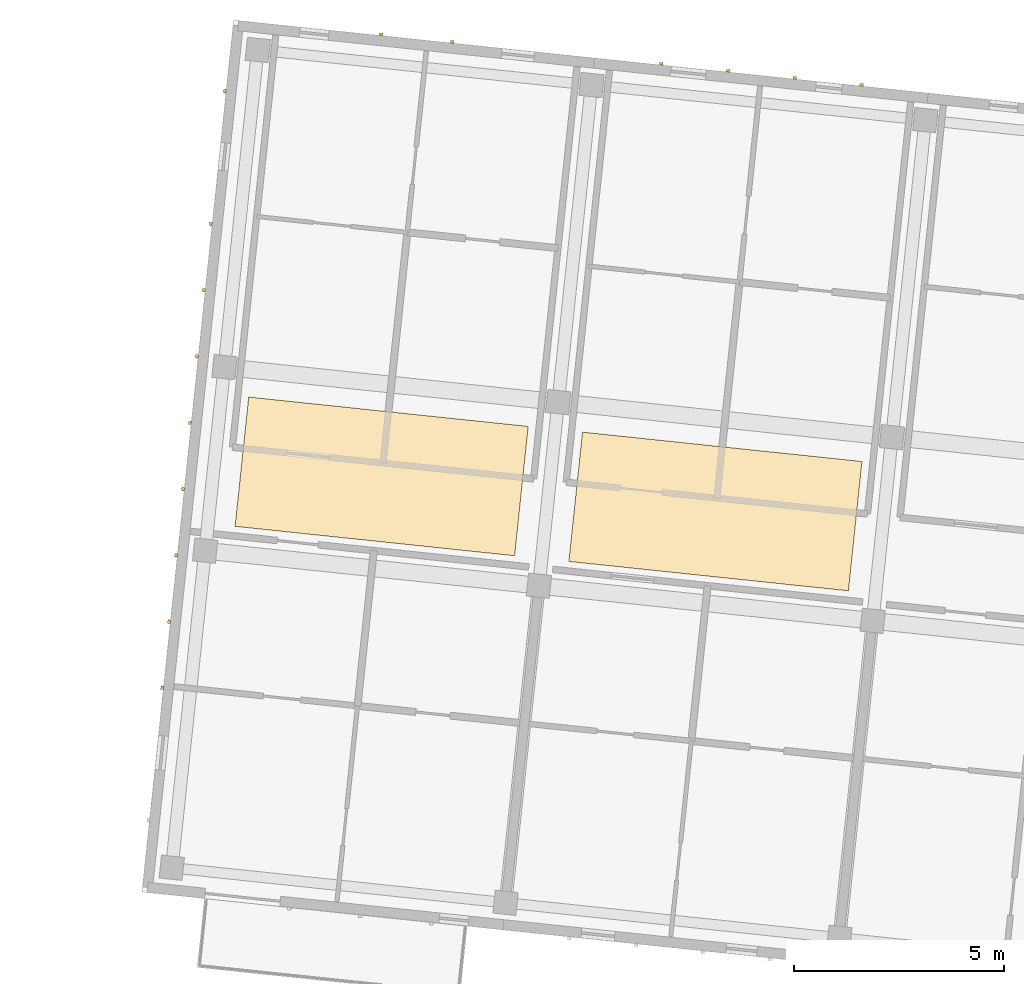
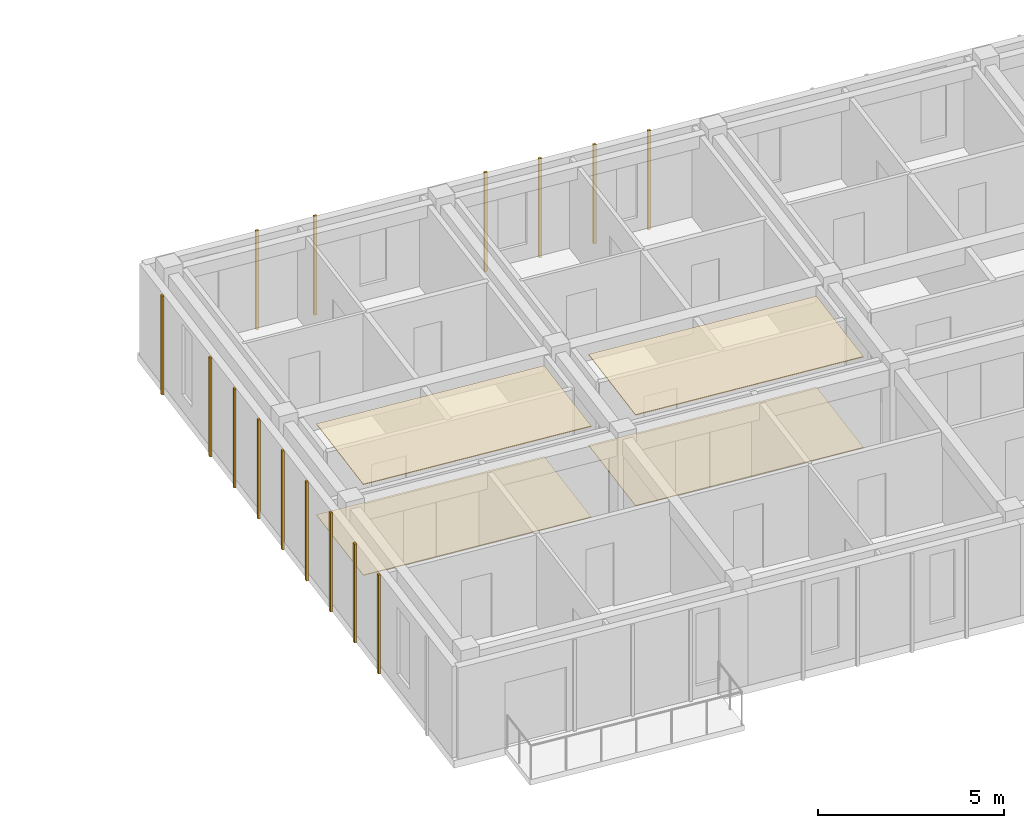
# One storey, part 57 of 65: 19 coverings.
"""IFC4 building model written with IfcOpenShell, lengths in metres."""

from ifc_helpers import new_model, si_unit, direction, frame, origin, origin_2d, place, context, subcontext, project, spatial, polyline, rectangle, outline, extrude, material, layer, layer_set, type_object, element, save


model = new_model("IFC4")

# Units and contexts
model_context = context("Model", 3, precision=1e-05, world=origin(), true_north=direction((0.0, 1.0)))
body_context = subcontext(model_context, "Body", "Model", "MODEL_VIEW")
ifc_project = project(units=[si_unit("LENGTHUNIT", "METRE"), si_unit("AREAUNIT", "SQUARE_METRE"), si_unit("VOLUMEUNIT", "CUBIC_METRE"), si_unit("PLANEANGLEUNIT", "RADIAN"), si_unit("MASSUNIT", "GRAM", prefix="KILO")], contexts=[model_context])

# Site, building, storey
site_placement = place(None, origin())
site = spatial("IfcSite", under=ifc_project, at=site_placement, CompositionType="ELEMENT")
building_placement = place(site_placement, origin())
building = spatial("IfcBuilding", under=site, at=building_placement, Name="Kestramere Prow Commons", CompositionType="ELEMENT")
storey_placement = place(building_placement, frame((0.0, 0.0, 21.39990234375)))
storey = spatial("IfcBuildingStorey", under=building, at=storey_placement, Name="L06", CompositionType="ELEMENT", Elevation=21.39990234375)

# Coverings
ifc_material_1 = material(Name="Mineral Fibre Acoustic Ceiling Tile")
ifc_layer_1 = layer(ifc_material_1, 0.02490234375)
ifc_layer_set_1 = layer_set([ifc_layer_1], Name="Mineral Fibre Acoustic Ceiling Tile")
covering_type_1 = type_object("IfcCoveringType", Name="COV-CEIL-ACOUSTIC", PredefinedType="CEILING", material=ifc_layer_set_1)
covering_1_placement = place(storey_placement, frame((0.0, 0.0, 2.97509765625)))
element("IfcCovering", 1, at=covering_1_placement, inside=storey, type_object=covering_type_1, Name="Block B L06 Corridor Acoustic Ceiling 1", PredefinedType="CEILING", context=body_context, shape_type="SweptSolid", body=[
    extrude(outline(polyline([(111.5087890625, 102.936767578125), (118.172119140625, 102.236572265625), (118.49609375, 105.319580078125), (111.832763671875, 106.019775390625), (111.5087890625, 102.936767578125)])), origin(), (0.0, 0.0, 1.0), 0.02490234375),
])
covering_2_placement = place(storey_placement, frame((0.0, 0.0, 2.97509765625)))
element("IfcCovering", 2, at=covering_2_placement, inside=storey, type_object=covering_type_1, Name="Block B L06 Corridor Acoustic Ceiling 2", PredefinedType="CEILING", context=body_context, shape_type="SweptSolid", body=[
    extrude(outline(polyline([(119.465087890625, 102.1005859375), (126.128173828125, 101.400390625), (126.452392578125, 104.4833984375), (119.7890625, 105.18359375), (119.465087890625, 102.1005859375)])), origin(), (0.0, 0.0, 1.0), 0.02490234375),
])
ifc_material_2 = material(Name="Weathered Zinc-Titanium Standing-Seam Cladding")
ifc_layer_2 = layer(ifc_material_2, 0.074951171875)
ifc_layer_set_2 = layer_set([ifc_layer_2], Name="Weathered Zinc-Titanium Standing-Seam Cladding")
covering_type_2 = type_object("IfcCoveringType", Name="COV-CLAD-SEAM", PredefinedType="CLADDING", material=ifc_layer_set_2)
for number, where, z_axis, x_axis, name in (
    (3, (114.98876953125, 114.664794921875, -0.25), (0.0, 0.0, 1.0), (0.994521895368, -0.104528463268, 0.0), "EW-B-L06-N-0 Standing-Seam Rib 2"),
    (4, (116.684326171875, 114.486572265625, -0.25), (0.0, 0.0, 1.0), (0.994521895368, -0.104528463268, 0.0), "EW-B-L06-N-0 Standing-Seam Rib 3"),
    (5, (121.6669921875, 113.962890625, -0.25), (0.0, 0.0, 1.0), (0.994521895368, -0.104528463268, 0.0), "EW-B-L06-N-1 Standing-Seam Rib 1"),
    (6, (123.25830078125, 113.795654296875, -0.25), (0.0, 0.0, 1.0), (0.994521895368, -0.104528463268, 0.0), "EW-B-L06-N-1 Standing-Seam Rib 2"),
    (7, (124.849365234375, 113.62841796875, -0.25), (0.0, 0.0, 1.0), (0.994521895368, -0.104528463268, 0.0), "EW-B-L06-N-1 Standing-Seam Rib 3"),
    (8, (126.440673828125, 113.461181640625, -0.25), (0.0, 0.0, 1.0), (0.994521895368, -0.104528463268, 0.0), "EW-B-L06-N-1 Standing-Seam Rib 4"),
    (9, (109.76953125, 99.087890625, -0.25), (0.0, 0.0, 1.0), (0.104528463268, 0.994521895368, 0.0), "EW-B-L06-EAV Standing-Seam Rib 3"),
    (10, (109.935546875, 100.667724609375, -0.25), (0.0, 0.0, 1.0), (0.104528463268, 0.994521895368, 0.0), "EW-B-L06-EAV Standing-Seam Rib 4"),
    (11, (110.1015625, 102.24755859375, -0.25), (0.0, 0.0, 1.0), (0.104528463268, 0.994521895368, 0.0), "EW-B-L06-EAV Standing-Seam Rib 5"),
    (12, (110.267578125, 103.8271484375, -0.25), (0.0, 0.0, 1.0), (0.104528463268, 0.994521895368, 0.0), "EW-B-L06-EAV Standing-Seam Rib 6"),
    (13, (110.43359375, 105.406982421875, -0.25), (0.0, 0.0, 1.0), (0.104528463268, 0.994521895368, 0.0), "EW-B-L06-EAV Standing-Seam Rib 7"),
    (14, (110.599609375, 106.98681640625, -0.25), (0.0, 0.0, 1.0), (0.104528463268, 0.994521895368, 0.0), "EW-B-L06-EAV Standing-Seam Rib 8"),
    (15, (110.765625, 108.566650390625, -0.25), (0.0, 0.0, 1.0), (0.104528463268, 0.994521895368, 0.0), "EW-B-L06-EAV Standing-Seam Rib 9"),
    (16, (110.931640625, 110.146240234375, -0.25), (0.0, 0.0, 1.0), (0.104528463268, 0.994521895368, 0.0), "EW-B-L06-EAV Standing-Seam Rib 10"),
    (17, (111.263916015625, 113.305908203125, -0.25), (0.0, 0.0, 1.0), (0.104528463268, 0.994521895368, 0.0), "EW-B-L06-EAV Standing-Seam Rib 12"),
):
    element("IfcCovering", number, at=place(storey_placement, frame(where, z_axis=z_axis, x_axis=x_axis)), inside=storey, type_object=covering_type_2, Name=name, PredefinedType="CLADDING", context=body_context, shape_type="SweptSolid", body=[
        extrude(rectangle(XDim=0.0849609375, YDim=0.06494140625, at=origin_2d()), origin(), (0.0, 0.0, 1.0), 3.25),
    ])
ifc_material_3 = material(Name="Honed Cementitious Terrazzo Tile")
ifc_layer_3 = layer(ifc_material_3, 0.02001953125)
ifc_layer_set_3 = layer_set([ifc_layer_3], Name="Honed Cementitious Terrazzo Tile")
covering_type_3 = type_object("IfcCoveringType", Name="COV-FLOOR-TERRAZZO", PredefinedType="FLOORING", material=ifc_layer_set_3)
covering_3_placement = place(storey_placement, origin())
element("IfcCovering", 18, at=covering_3_placement, inside=storey, type_object=covering_type_3, Name="Block B L06 Corridor Terrazzo Flooring 1", PredefinedType="FLOORING", context=body_context, shape_type="SweptSolid", body=[
    extrude(outline(polyline([(111.5087890625, 102.936767578125), (118.172119140625, 102.236572265625), (118.49609375, 105.319580078125), (111.832763671875, 106.019775390625), (111.5087890625, 102.936767578125)])), origin(), (0.0, 0.0, 1.0), 0.02001953125),
])
covering_4_placement = place(storey_placement, origin())
element("IfcCovering", 19, at=covering_4_placement, inside=storey, type_object=covering_type_3, Name="Block B L06 Corridor Terrazzo Flooring 2", PredefinedType="FLOORING", context=body_context, shape_type="SweptSolid", body=[
    extrude(outline(polyline([(119.465087890625, 102.1005859375), (126.128173828125, 101.400390625), (126.452392578125, 104.4833984375), (119.7890625, 105.18359375), (119.465087890625, 102.1005859375)])), origin(), (0.0, 0.0, 1.0), 0.02001953125),
])

save(model, "model.ifc")
